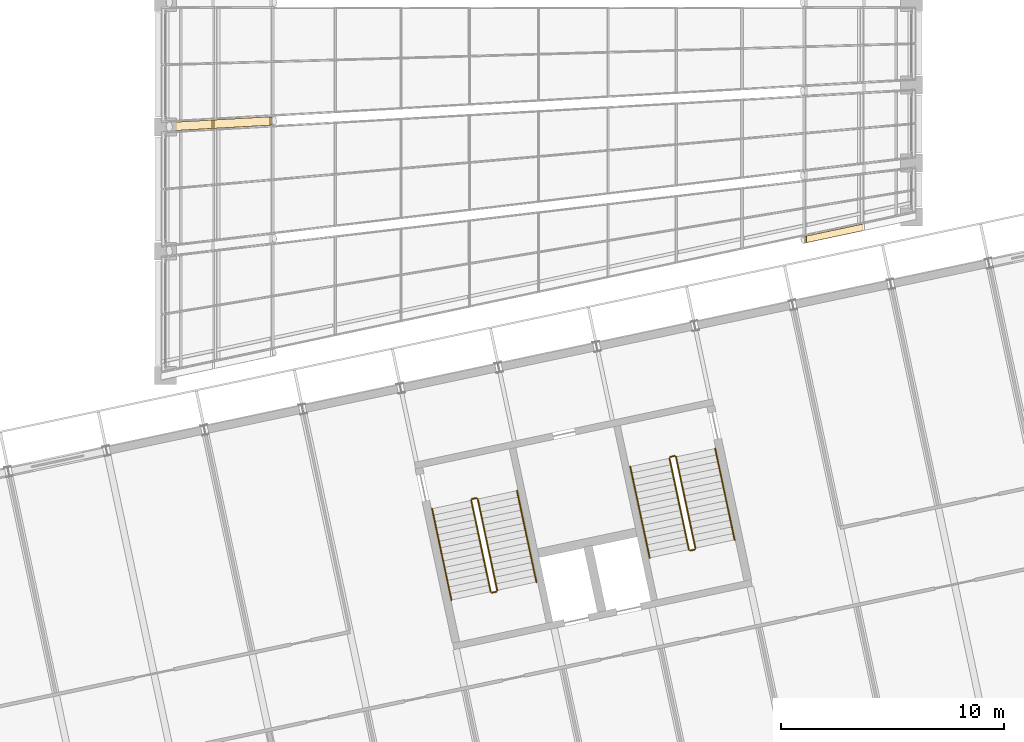
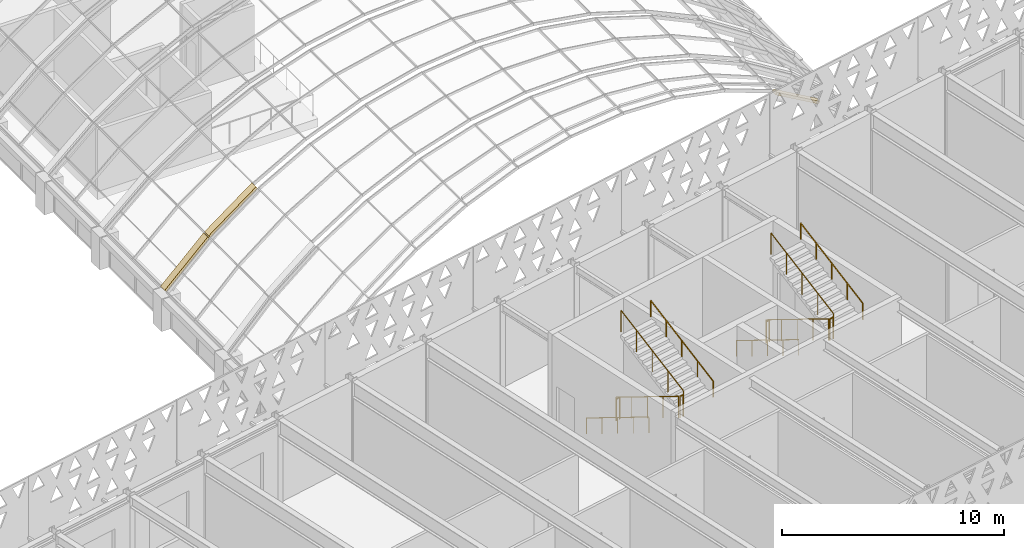
# One storey, part 176 of 182: 12 railings, 3 coverings.
"""IFC4 building model written with IfcOpenShell, lengths in metres."""

from ifc_helpers import new_model, si_unit, direction, frame, origin, origin_2d, place, context, subcontext, project, spatial, polyline, circle, outline, extrude, material, layer, layer_set, type_object, element, save


model = new_model("IFC4")

# Units and contexts
model_context = context("Model", 3, precision=1e-05, world=origin(), true_north=direction((0.0, 1.0)))
body_context = subcontext(model_context, "Body", "Model", "MODEL_VIEW")
ifc_project = project(units=[si_unit("LENGTHUNIT", "METRE"), si_unit("AREAUNIT", "SQUARE_METRE"), si_unit("VOLUMEUNIT", "CUBIC_METRE"), si_unit("PLANEANGLEUNIT", "RADIAN"), si_unit("MASSUNIT", "GRAM", prefix="KILO")], contexts=[model_context])

# Site, building, storey
site_placement = place(None, origin())
site = spatial("IfcSite", under=ifc_project, at=site_placement, CompositionType="ELEMENT")
building_placement = place(site_placement, origin())
building = spatial("IfcBuilding", under=site, at=building_placement, Name="Okhra Congress Centre", CompositionType="ELEMENT")
storey_placement = place(building_placement, frame((0.0, 0.0, 7.199951171875)))
storey = spatial("IfcBuildingStorey", under=building, at=storey_placement, Name="L01", CompositionType="ELEMENT", Elevation=7.199951171875)

# Coverings
ifc_material_1 = material(Name="Extruded aluminium capping, thermally broken", Category="aluminium")
ifc_layer = layer(ifc_material_1, 0.139892578125)
ifc_layer_set = layer_set([ifc_layer], Name="Aluminium rib capping 380")
covering_type = type_object("IfcCoveringType", Name="Aluminium rib capping 380", PredefinedType="CLADDING", material=ifc_layer_set)
covering_1_placement = place(storey_placement, frame((184.282470703125, 80.21630859375, 5.8408203125), z_axis=(0.559495970177, 0.0, 0.828833070863), x_axis=(0.816265404172, 0.17348271318, -0.551012284963)))
element("IfcCovering", 1, at=covering_1_placement, inside=storey, type_object=covering_type, Name="Rib capping 1.11", PredefinedType="CLADDING", context=body_context, shape_type="SweptSolid", body=[
    extrude(outline(polyline([(0.0, 0.0), (3.1312220143877836, 2.7755575615628914e-17), (3.183275299177394, 0.2954991620999923), (0.052053284789610466, 0.2954991620999923), (0.0, 0.0)])), origin(), (0.0, 0.0, -1.0), 0.139892578125),
])
covering_2_placement = place(storey_placement, frame((155.2783203125, 85.213134765625, 2.06103515625), z_axis=(-0.663725875965, 0.0, 0.747975909756), x_axis=(0.747313143691, 0.042087690785, 0.663137762121)))
element("IfcCovering", 2, at=covering_2_placement, inside=storey, type_object=covering_type, Name="Rib capping 3.1", PredefinedType="CLADDING", context=body_context, shape_type="SweptSolid", body=[
    extrude(outline(polyline([(0.0, 0.0), (3.091805482757211, -6.938893903907228e-18), (3.1077938731041668, 0.37954620615548706), (0.01599866566208889, 0.3797901304525022), (0.0, 0.0)])), origin(), (0.0, 0.0, -1.0), 0.139892578125),
])
covering_3_placement = place(storey_placement, frame((157.63623046875, 85.345947265625, 4.14794921875), z_axis=(-0.559487786357, 0.0, 0.828838595215), x_axis=(0.827941986813, 0.046501175764, 0.558882552174)))
element("IfcCovering", 3, at=covering_3_placement, inside=storey, type_object=covering_type, Name="Rib capping 3.2", PredefinedType="CLADDING", context=body_context, shape_type="SweptSolid", body=[
    extrude(outline(polyline([(0.0, 0.0), (3.092369725359824, 6.938893903907228e-18), (3.110046075619572, 0.37971574517471707), (0.01766499743363411, 0.37947186865244686), (0.0, 0.0)])), origin(), (0.0, 0.0, -1.0), 0.139892578125),
])

# Railings
ifc_material_2 = material(Name="Painted steel tube handrail on wall brackets", Category="steel")
railing_type_1 = type_object("IfcRailingType", Name="Steel handrail 900", PredefinedType="HANDRAIL", material=ifc_material_2)
railing_1_placement = place(storey_placement, frame((167.46630859375, 68.273681640625, 0.16015625)))
element("IfcRailing", 4, at=railing_1_placement, inside=storey, type_object=railing_type_1, Name="L01 BS4A stair handrail 1", PredefinedType="HANDRAIL", context=body_context, shape_type="SweptSolid", body=[
    extrude(circle(Radius=0.02392578125, at=origin_2d()), frame((0.0, 0.0, 0.8759765625), z_axis=(0.183466421502, -0.863066668889, 0.4705911147), x_axis=(0.978143927149, 0.207928972925, 0.0)), (0.0, 0.0, 1.0), 4.760009765625),
    extrude(circle(Radius=0.02099609375, at=origin_2d()), origin(), (0.0, 0.0, 1.0), 0.851806640625),
    extrude(circle(Radius=0.02099609375, at=origin_2d()), frame((0.21826171875, -1.027099609375, 0.56005859375)), (0.0, 0.0, 1.0), 0.851806640625),
    extrude(circle(Radius=0.02099609375, at=origin_2d()), frame((0.4365234375, -2.05419921875, 1.1201171875)), (0.0, 0.0, 1.0), 0.851806640625),
    extrude(circle(Radius=0.02099609375, at=origin_2d()), frame((0.655029296875, -3.0810546875, 1.679931640625)), (0.0, 0.0, 1.0), 0.851806640625),
    extrude(circle(Radius=0.02099609375, at=origin_2d()), frame((0.873291015625, -4.108154296875, 2.239990234375)), (0.0, 0.0, 1.0), 0.851806640625),
])
railing_2_placement = place(storey_placement, frame((172.154296875, 64.976318359375, 2.56005859375)))
element("IfcRailing", 5, at=railing_2_placement, inside=storey, type_object=railing_type_1, Name="L01 BS4A stair handrail 2", PredefinedType="HANDRAIL", context=body_context, shape_type="SweptSolid", body=[
    extrude(circle(Radius=0.02392578125, at=origin_2d()), frame((0.0, 0.0, 0.8759765625), z_axis=(-0.183416856655, 0.863074789412, 0.470595542453), x_axis=(-0.978155748334, -0.207873355681, 0.0)), (0.0, 0.0, 1.0), 4.760009765625),
    extrude(circle(Radius=0.02099609375, at=origin_2d()), origin(), (0.0, 0.0, 1.0), 0.851806640625),
    extrude(circle(Radius=0.02099609375, at=origin_2d()), frame((-0.21826171875, 1.027099609375, 0.56005859375)), (0.0, 0.0, 1.0), 0.851806640625),
    extrude(circle(Radius=0.02099609375, at=origin_2d()), frame((-0.4365234375, 2.05419921875, 1.1201171875)), (0.0, 0.0, 1.0), 0.851806640625),
    extrude(circle(Radius=0.02099609375, at=origin_2d()), frame((-0.65478515625, 3.0810546875, 1.679931640625)), (0.0, 0.0, 1.0), 0.851806640625),
    extrude(circle(Radius=0.02099609375, at=origin_2d()), frame((-0.873046875, 4.108154296875, 2.239990234375)), (0.0, 0.0, 1.0), 0.851806640625),
])
railing_3_placement = place(storey_placement, frame((176.367431640625, 70.16552734375, 0.16015625)))
element("IfcRailing", 6, at=railing_3_placement, inside=storey, type_object=railing_type_1, Name="L01 BS4B stair handrail 1", PredefinedType="HANDRAIL", context=body_context, shape_type="SweptSolid", body=[
    extrude(circle(Radius=0.02392578125, at=origin_2d()), frame((0.0, 0.0, 0.8759765625), z_axis=(0.183466421502, -0.863066668889, 0.4705911147), x_axis=(0.978143927149, 0.207928972925, 0.0)), (0.0, 0.0, 1.0), 4.760009765625),
    extrude(circle(Radius=0.02099609375, at=origin_2d()), origin(), (0.0, 0.0, 1.0), 0.851806640625),
    extrude(circle(Radius=0.02099609375, at=origin_2d()), frame((0.21826171875, -1.027099609375, 0.56005859375)), (0.0, 0.0, 1.0), 0.851806640625),
    extrude(circle(Radius=0.02099609375, at=origin_2d()), frame((0.4365234375, -2.05419921875, 1.1201171875)), (0.0, 0.0, 1.0), 0.851806640625),
    extrude(circle(Radius=0.02099609375, at=origin_2d()), frame((0.655029296875, -3.0810546875, 1.679931640625)), (0.0, 0.0, 1.0), 0.851806640625),
    extrude(circle(Radius=0.02099609375, at=origin_2d()), frame((0.873291015625, -4.108154296875, 2.239990234375)), (0.0, 0.0, 1.0), 0.851806640625),
])
railing_4_placement = place(storey_placement, frame((181.055419921875, 66.8681640625, 2.56005859375)))
element("IfcRailing", 7, at=railing_4_placement, inside=storey, type_object=railing_type_1, Name="L01 BS4B stair handrail 2", PredefinedType="HANDRAIL", context=body_context, shape_type="SweptSolid", body=[
    extrude(circle(Radius=0.02392578125, at=origin_2d()), frame((0.0, 0.0, 0.8759765625), z_axis=(-0.183408737451, 0.863087872992, 0.470574710881), x_axis=(-0.97815826, -0.207861536591, 0.0)), (0.0, 0.0, 1.0), 4.760009765625),
    extrude(circle(Radius=0.02099609375, at=origin_2d()), origin(), (0.0, 0.0, 1.0), 0.851806640625),
    extrude(circle(Radius=0.02099609375, at=origin_2d()), frame((-0.21826171875, 1.027099609375, 0.56005859375)), (0.0, 0.0, 1.0), 0.851806640625),
    extrude(circle(Radius=0.02099609375, at=origin_2d()), frame((-0.4365234375, 2.05419921875, 1.1201171875)), (0.0, 0.0, 1.0), 0.851806640625),
    extrude(circle(Radius=0.02099609375, at=origin_2d()), frame((-0.65478515625, 3.081298828125, 1.679931640625)), (0.0, 0.0, 1.0), 0.851806640625),
    extrude(circle(Radius=0.02099609375, at=origin_2d()), frame((-0.873046875, 4.1083984375, 2.239990234375)), (0.0, 0.0, 1.0), 0.851806640625),
])
ifc_material_3 = material(Name="Painted steel tube guard with vertical steel balusters", Category="steel")
railing_type_2 = type_object("IfcRailingType", Name="Steel stair guard 1200", PredefinedType="GUARDRAIL", material=ifc_material_3)
railing_5_placement = place(storey_placement, frame((169.22705078125, 68.64794921875, 0.16015625)))
element("IfcRailing", 8, at=railing_5_placement, inside=storey, type_object=railing_type_2, Name="L01 BS4A stair guard 1", PredefinedType="GUARDRAIL", context=body_context, shape_type="SweptSolid", body=[
    extrude(circle(Radius=0.02392578125, at=origin_2d()), frame((0.0, 0.0, 1.17578125), z_axis=(0.183458300256, -0.863079753065, 0.470570283716), x_axis=(0.978146440129, 0.207917150959, 0.0)), (0.0, 0.0, 1.0), 4.76025390625),
    extrude(circle(Radius=0.02099609375, at=origin_2d()), origin(), (0.0, 0.0, 1.0), 1.15185546875),
    extrude(circle(Radius=0.02099609375, at=origin_2d()), frame((0.21826171875, -1.027099609375, 0.56005859375)), (0.0, 0.0, 1.0), 1.15185546875),
    extrude(circle(Radius=0.02099609375, at=origin_2d()), frame((0.4365234375, -2.05419921875, 1.1201171875)), (0.0, 0.0, 1.0), 1.15185546875),
    extrude(circle(Radius=0.02099609375, at=origin_2d()), frame((0.655029296875, -3.081298828125, 1.679931640625)), (0.0, 0.0, 1.0), 1.15185546875),
    extrude(circle(Radius=0.02099609375, at=origin_2d()), frame((0.873291015625, -4.1083984375, 2.239990234375)), (0.0, 0.0, 1.0), 1.15185546875),
])
railing_6_placement = place(storey_placement, frame((170.15966796875, 64.501220703125, 2.400146484375)))
element("IfcRailing", 9, at=railing_6_placement, inside=storey, type_object=railing_type_2, Name="L01 BS4A stair guard 2", PredefinedType="GUARDRAIL", context=body_context, shape_type="SweptSolid", body=[
    extrude(circle(Radius=0.02392578125, at=origin_2d()), frame((0.0, 0.0, 1.17578125), z_axis=(0.978211583308, 0.207610448392, 0.0), x_axis=(-0.207610448392, 0.978211583308, 0.0)), (0.0, 0.0, 1.0), 0.199951171875),
    extrude(circle(Radius=0.02099609375, at=origin_2d()), origin(), (0.0, 0.0, 1.0), 1.15185546875),
    extrude(circle(Radius=0.02099609375, at=origin_2d()), frame((0.195556640625, 0.04150390625, 0.0)), (0.0, 0.0, 1.0), 1.15185546875),
])
railing_7_placement = place(storey_placement, frame((170.393798828125, 64.60205078125, 2.56005859375)))
element("IfcRailing", 10, at=railing_7_placement, inside=storey, type_object=railing_type_2, Name="L01 BS4A stair guard 3", PredefinedType="GUARDRAIL", context=body_context, shape_type="SweptSolid", body=[
    extrude(circle(Radius=0.02392578125, at=origin_2d()), frame((0.0, 0.0, 1.17578125), z_axis=(-0.183466421502, 0.863066668889, 0.4705911147), x_axis=(-0.978143927149, -0.207928972925, 0.0)), (0.0, 0.0, 1.0), 4.760009765625),
    extrude(circle(Radius=0.02099609375, at=origin_2d()), origin(), (0.0, 0.0, 1.0), 1.15185546875),
    extrude(circle(Radius=0.02099609375, at=origin_2d()), frame((-0.21826171875, 1.027099609375, 0.56005859375)), (0.0, 0.0, 1.0), 1.15185546875),
    extrude(circle(Radius=0.02099609375, at=origin_2d()), frame((-0.4365234375, 2.05419921875, 1.1201171875)), (0.0, 0.0, 1.0), 1.15185546875),
    extrude(circle(Radius=0.02099609375, at=origin_2d()), frame((-0.655029296875, 3.0810546875, 1.679931640625)), (0.0, 0.0, 1.0), 1.15185546875),
    extrude(circle(Radius=0.02099609375, at=origin_2d()), frame((-0.873291015625, 4.108154296875, 2.239990234375)), (0.0, 0.0, 1.0), 1.15185546875),
])
railing_8_placement = place(storey_placement, frame((169.265625, 68.707275390625, 0.0)))
element("IfcRailing", 11, at=railing_8_placement, inside=storey, type_object=railing_type_2, Name="L01 BS4A stair guard 4", PredefinedType="GUARDRAIL", context=body_context, shape_type="SweptSolid", body=[
    extrude(circle(Radius=0.02392578125, at=origin_2d()), frame((0.0, 0.0, 1.17578125), z_axis=(0.978211583308, 0.207610448392, 0.0), x_axis=(-0.207610448392, 0.978211583308, 0.0)), (0.0, 0.0, 1.0), 0.199951171875),
    extrude(circle(Radius=0.02099609375, at=origin_2d()), origin(), (0.0, 0.0, 1.0), 1.15185546875),
    extrude(circle(Radius=0.02099609375, at=origin_2d()), frame((0.195556640625, 0.04150390625, 0.0)), (0.0, 0.0, 1.0), 1.15185546875),
])
railing_9_placement = place(storey_placement, frame((178.128173828125, 70.539794921875, 0.16015625)))
element("IfcRailing", 12, at=railing_9_placement, inside=storey, type_object=railing_type_2, Name="L01 BS4B stair guard 1", PredefinedType="GUARDRAIL", context=body_context, shape_type="SweptSolid", body=[
    extrude(circle(Radius=0.02392578125, at=origin_2d()), frame((0.0, 0.0, 1.17578125), z_axis=(0.183466421502, -0.863066668889, 0.4705911147), x_axis=(0.978143927149, 0.207928972925, 0.0)), (0.0, 0.0, 1.0), 4.760009765625),
    extrude(circle(Radius=0.02099609375, at=origin_2d()), origin(), (0.0, 0.0, 1.0), 1.15185546875),
    extrude(circle(Radius=0.02099609375, at=origin_2d()), frame((0.21826171875, -1.027099609375, 0.56005859375)), (0.0, 0.0, 1.0), 1.15185546875),
    extrude(circle(Radius=0.02099609375, at=origin_2d()), frame((0.4365234375, -2.05419921875, 1.1201171875)), (0.0, 0.0, 1.0), 1.15185546875),
    extrude(circle(Radius=0.02099609375, at=origin_2d()), frame((0.655029296875, -3.0810546875, 1.679931640625)), (0.0, 0.0, 1.0), 1.15185546875),
    extrude(circle(Radius=0.02099609375, at=origin_2d()), frame((0.873291015625, -4.108154296875, 2.239990234375)), (0.0, 0.0, 1.0), 1.15185546875),
])
railing_10_placement = place(storey_placement, frame((179.060791015625, 66.39306640625, 2.400146484375)))
element("IfcRailing", 13, at=railing_10_placement, inside=storey, type_object=railing_type_2, Name="L01 BS4B stair guard 2", PredefinedType="GUARDRAIL", context=body_context, shape_type="SweptSolid", body=[
    extrude(circle(Radius=0.02392578125, at=origin_2d()), frame((0.0, 0.0, 1.17578125), z_axis=(0.977962931203, 0.208778603291, 0.0), x_axis=(-0.208778603291, 0.977962931203, 0.0)), (0.0, 0.0, 1.0), 0.199951171875),
    extrude(circle(Radius=0.02099609375, at=origin_2d()), origin(), (0.0, 0.0, 1.0), 1.15185546875),
    extrude(circle(Radius=0.02099609375, at=origin_2d()), frame((0.195556640625, 0.041748046875, 0.0)), (0.0, 0.0, 1.0), 1.15185546875),
])
railing_11_placement = place(storey_placement, frame((179.294921875, 66.494140625, 2.56005859375)))
element("IfcRailing", 14, at=railing_11_placement, inside=storey, type_object=railing_type_2, Name="L01 BS4B stair guard 3", PredefinedType="GUARDRAIL", context=body_context, shape_type="SweptSolid", body=[
    extrude(circle(Radius=0.02392578125, at=origin_2d()), frame((0.0, 0.0, 1.17578125), z_axis=(-0.183466421502, 0.863066668889, 0.4705911147), x_axis=(-0.978143927149, -0.207928972925, 0.0)), (0.0, 0.0, 1.0), 4.760009765625),
    extrude(circle(Radius=0.02099609375, at=origin_2d()), origin(), (0.0, 0.0, 1.0), 1.15185546875),
    extrude(circle(Radius=0.02099609375, at=origin_2d()), frame((-0.21826171875, 1.027099609375, 0.56005859375)), (0.0, 0.0, 1.0), 1.15185546875),
    extrude(circle(Radius=0.02099609375, at=origin_2d()), frame((-0.4365234375, 2.05419921875, 1.1201171875)), (0.0, 0.0, 1.0), 1.15185546875),
    extrude(circle(Radius=0.02099609375, at=origin_2d()), frame((-0.655029296875, 3.0810546875, 1.679931640625)), (0.0, 0.0, 1.0), 1.15185546875),
    extrude(circle(Radius=0.02099609375, at=origin_2d()), frame((-0.873291015625, 4.108154296875, 2.239990234375)), (0.0, 0.0, 1.0), 1.15185546875),
])
railing_12_placement = place(storey_placement, frame((178.166748046875, 70.59912109375, 0.0)))
element("IfcRailing", 15, at=railing_12_placement, inside=storey, type_object=railing_type_2, Name="L01 BS4B stair guard 4", PredefinedType="GUARDRAIL", context=body_context, shape_type="SweptSolid", body=[
    extrude(circle(Radius=0.02392578125, at=origin_2d()), frame((0.0, 0.0, 1.17578125), z_axis=(0.977962931203, 0.208778603291, 0.0), x_axis=(-0.208778603291, 0.977962931203, 0.0)), (0.0, 0.0, 1.0), 0.199951171875),
    extrude(circle(Radius=0.02099609375, at=origin_2d()), origin(), (0.0, 0.0, 1.0), 1.15185546875),
    extrude(circle(Radius=0.02099609375, at=origin_2d()), frame((0.195556640625, 0.041748046875, 0.0)), (0.0, 0.0, 1.0), 1.15185546875),
])

save(model, "model.ifc")
